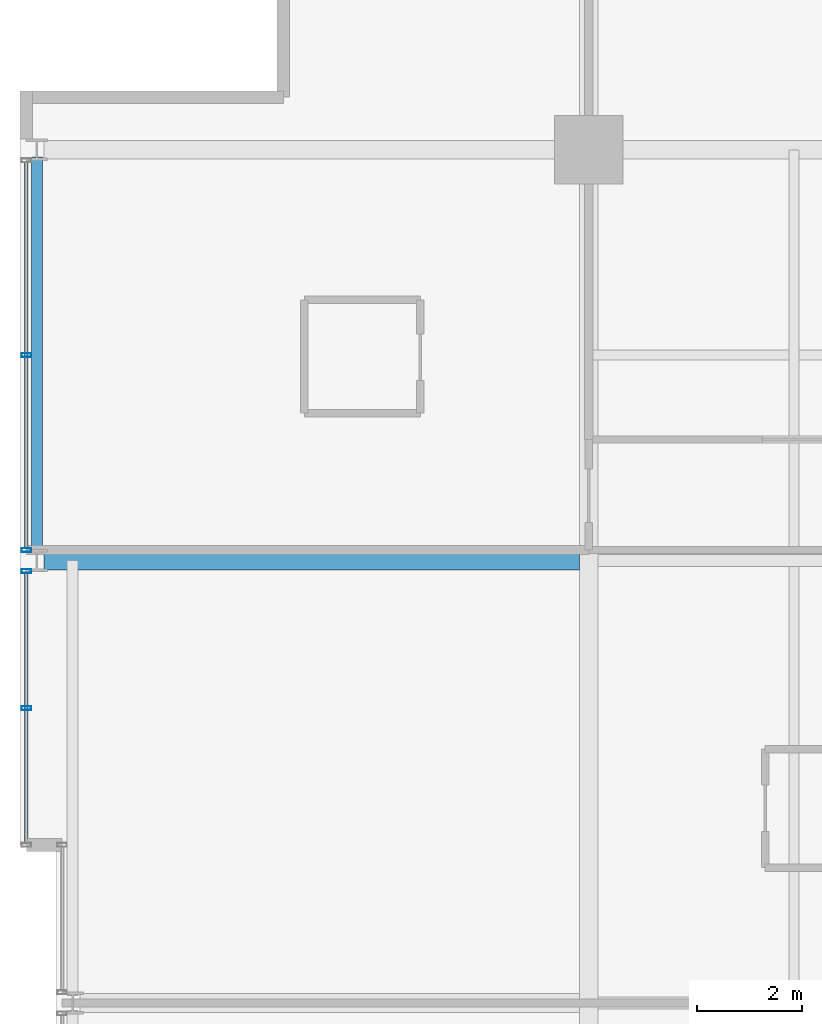
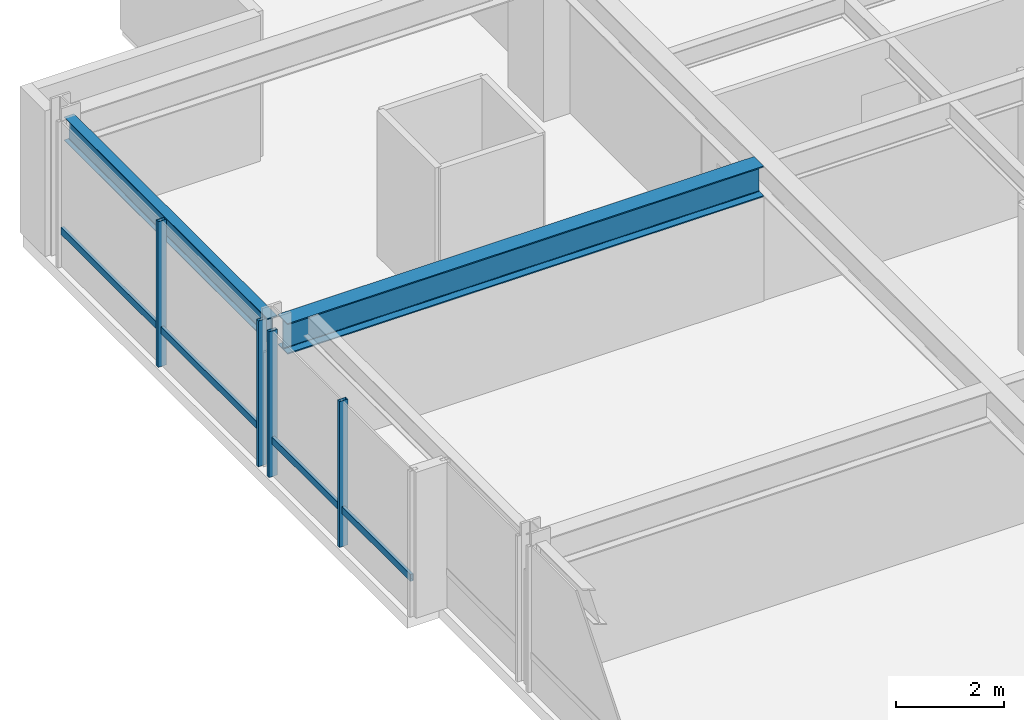
# One storey, part 17 of 33: 6 members, 2 beams, 2 elements without a shape of their own.
"""IFC4 building model written with IfcOpenShell, lengths in metres."""

from ifc_helpers import new_model, si_unit, direction, frame, origin, origin_2d, place, context, subcontext, project, spatial, hollow_rectangle, i_section, extrude, material, layer, layer_set, material_profile, profile_set, type_object, element, aggregate, save


model = new_model("IFC4")

# Units and contexts
model_context = context("Model", 3, precision=1e-05, world=origin(), true_north=direction((0.0, 1.0)))
body_context = subcontext(model_context, "Body", "Model", "MODEL_VIEW")
ifc_project = project(units=[si_unit("LENGTHUNIT", "METRE"), si_unit("AREAUNIT", "SQUARE_METRE"), si_unit("VOLUMEUNIT", "CUBIC_METRE"), si_unit("PLANEANGLEUNIT", "RADIAN"), si_unit("MASSUNIT", "GRAM", prefix="KILO")], contexts=[model_context])

# Site, building, storey
site_placement = place(None, origin())
site = spatial("IfcSite", under=ifc_project, at=site_placement, CompositionType="ELEMENT")
building_placement = place(site_placement, origin())
building = spatial("IfcBuilding", under=site, at=building_placement, Name="Drelvath Grand Hotel", CompositionType="ELEMENT")
storey_placement = place(building_placement, frame((0.0, 0.0, 171.699951171875)))
storey = spatial("IfcBuildingStorey", under=building, at=storey_placement, Name="L44", CompositionType="ELEMENT", Elevation=171.699951171875)

# Curtain wall, member
ifc_material_1 = material(Name="Brushed Pale-Silver Anodised Aluminium Frame", Category="aluminium")
ifc_layer = layer(ifc_material_1, 0.199951171875)
ifc_layer_set = layer_set([ifc_layer], Name="Brushed Pale-Silver Anodised Aluminium Frame")
curtain_wall_type = type_object("IfcCurtainWallType", Name="Stick Curtain Wall CW-04 Brushed Silver Upper-Mid", PredefinedType="NOTDEFINED", material=ifc_layer_set)
curtain_wall_1_placement = place(storey_placement, origin())
curtain_wall_1 = element("IfcCurtainWall", 1, at=curtain_wall_1_placement, inside=storey, type_object=curtain_wall_type, Name="L44 CW-04 Curtain Wall CW04-L44-WN1", PredefinedType="NOTDEFINED")
ifc_material_profile_1 = material_profile(ifc_material_1, hollow_rectangle(XDim=0.06494140625, YDim=0.159912109375, WallThickness=0.00390625, at=origin_2d()), Name="HSS160X65X4")
ifc_profile_set_1 = profile_set([ifc_material_profile_1], Name="Brushed Pale-Silver Anodised Aluminium Frame")
member_type_1 = type_object("IfcMemberType", Name="Curtain Wall Horizontal Transom CW-04 HSS160X65X4", PredefinedType="USERDEFINED", material=ifc_profile_set_1)
member_1_placement = place(storey_placement, frame((-26.8798828125, 30.0400390625, 0.822509765625), z_axis=(0.0, 1.0, 0.0), x_axis=(-1.0, 0.0, 0.0)))
member_1 = element("IfcMember", 2, at=member_1_placement, type_object=member_type_1, Name="CW04-L44-WN1 Sill Transom", ObjectType="TRANSOM", PredefinedType="USERDEFINED", context=body_context, shape_type="SweptSolid", body=[
    extrude(hollow_rectangle(XDim=0.06494140625, YDim=0.159912109375, WallThickness=0.00390625, at=origin_2d()), origin(), (0.0, 0.0, 1.0), 5.119873046875),
])

curtain_wall_2_placement = place(storey_placement, origin())
curtain_wall_2 = element("IfcCurtainWall", 3, at=curtain_wall_2_placement, inside=storey, type_object=curtain_wall_type, Name="L44 CW-04 Curtain Wall CW04-L44-WN2", PredefinedType="NOTDEFINED")
member_2_placement = place(storey_placement, frame((-26.8798828125, 35.639892578125, 0.822509765625), z_axis=(0.0, 1.0, 0.0), x_axis=(-1.0, 0.0, 0.0)))
member_2 = element("IfcMember", 4, at=member_2_placement, type_object=member_type_1, Name="CW04-L44-WN2 Sill Transom", ObjectType="TRANSOM", PredefinedType="USERDEFINED", context=body_context, shape_type="SweptSolid", body=[
    extrude(hollow_rectangle(XDim=0.06494140625, YDim=0.159912109375, WallThickness=0.00390625, at=origin_2d()), origin(), (0.0, 0.0, 1.0), 7.320068359375),
])

# Member
ifc_material_profile_2 = material_profile(ifc_material_1, hollow_rectangle(XDim=0.074951171875, YDim=0.179931640625, WallThickness=0.0048828125, at=origin_2d()), Name="HSS180X75X5")
ifc_profile_set_2 = profile_set([ifc_material_profile_2], Name="Brushed Pale-Silver Anodised Aluminium Frame")
member_type_2 = type_object("IfcMemberType", Name="Curtain Wall Vertical Mullion CW-04 HSS180X75X5", PredefinedType="MULLION", material=ifc_profile_set_2)
member_3_placement = place(storey_placement, frame((-26.8798828125, 32.60009765625, 0.0), z_axis=(0.0, 0.0, 1.0), x_axis=(0.0, 1.0, 0.0)))
member_3 = element("IfcMember", 5, at=member_3_placement, type_object=member_type_2, Name="CW04-L44-WN1 Mullion 2", PredefinedType="MULLION", context=body_context, shape_type="SweptSolid", body=[
    extrude(hollow_rectangle(XDim=0.074951171875, YDim=0.179931640625, WallThickness=0.0048828125, at=origin_2d()), origin(), (0.0, 0.0, 1.0), 3.2900390625),
])

member_4_placement = place(storey_placement, frame((-26.8798828125, 35.199951171875, 0.0), z_axis=(0.0, 0.0, 1.0), x_axis=(0.0, 1.0, 0.0)))
member_4 = element("IfcMember", 6, at=member_4_placement, type_object=member_type_2, Name="CW04-L44-WN1 Mullion 3", PredefinedType="MULLION", context=body_context, shape_type="SweptSolid", body=[
    extrude(hollow_rectangle(XDim=0.074951171875, YDim=0.179931640625, WallThickness=0.0048828125, at=origin_2d()), origin(), (0.0, 0.0, 1.0), 3.2900390625),
])

aggregate(curtain_wall_1, [member_3, member_4, member_1])

member_5_placement = place(storey_placement, frame((-26.8798828125, 35.60009765625, 0.0), z_axis=(0.0, 0.0, 1.0), x_axis=(0.0, 1.0, 0.0)))
member_5 = element("IfcMember", 7, at=member_5_placement, type_object=member_type_2, Name="CW04-L44-WN2 Mullion 1", PredefinedType="MULLION", context=body_context, shape_type="SweptSolid", body=[
    extrude(hollow_rectangle(XDim=0.074951171875, YDim=0.179931640625, WallThickness=0.0048828125, at=origin_2d()), origin(), (0.0, 0.0, 1.0), 3.2900390625),
])

member_6_placement = place(storey_placement, frame((-26.8798828125, 39.300048828125, 0.0), z_axis=(0.0, 0.0, 1.0), x_axis=(0.0, 1.0, 0.0)))
member_6 = element("IfcMember", 8, at=member_6_placement, type_object=member_type_2, Name="CW04-L44-WN2 Mullion 2", PredefinedType="MULLION", context=body_context, shape_type="SweptSolid", body=[
    extrude(hollow_rectangle(XDim=0.074951171875, YDim=0.179931640625, WallThickness=0.0048828125, at=origin_2d()), origin(), (0.0, 0.0, 1.0), 3.2900390625),
])

aggregate(curtain_wall_2, [member_5, member_6, member_2])

# Beams
ifc_material_2 = material(Name="Steel ASTM A992 Gr 50", Category="steel")
ifc_material_profile_3 = material_profile(ifc_material_2, i_section(OverallWidth=0.210205078125, OverallDepth=0.53662109375, WebThickness=0.010986328125, FlangeThickness=0.017333984375, FilletRadius=0.01806640625, at=origin_2d()), Name="W21X68")
ifc_profile_set_3 = profile_set([ifc_material_profile_3], Name="Steel ASTM A992 Gr 50")
beam_type_1 = type_object("IfcBeamType", Name="Perimeter Spandrel Beam W21X68", PredefinedType="SPANDREL", material=ifc_profile_set_3)
beam_1_placement = place(storey_placement, frame((-26.679931640625, 35.5400390625, 3.021728515625), z_axis=(0.0, 1.0, 0.0), x_axis=(-1.0, 0.0, 0.0)))
element("IfcBeam", 9, at=beam_1_placement, inside=storey, type_object=beam_type_1, Name="L44 Spandrel West N", PredefinedType="SPANDREL", context=body_context, shape_type="SweptSolid", body=[
    extrude(i_section(OverallWidth=0.210205078125, OverallDepth=0.53662109375, WebThickness=0.010986328125, FlangeThickness=0.017333984375, FilletRadius=0.01806640625, at=origin_2d()), origin(), (0.0, 0.0, 1.0), 7.52001953125),
])
ifc_material_profile_4 = material_profile(ifc_material_2, i_section(OverallWidth=0.354736328125, OverallDepth=0.695556640625, WebThickness=0.015380859375, FlangeThickness=0.025146484375, FilletRadius=0.02392578125, at=origin_2d()), Name="W27X146")
ifc_profile_set_4 = profile_set([ifc_material_profile_4], Name="Steel ASTM A992 Gr 50")
beam_type_2 = type_object("IfcBeamType", Name="Primary Floor Girder W27X146", PredefinedType="BEAM", material=ifc_profile_set_4)
beam_2_placement = place(storey_placement, frame((-26.5400390625, 35.39990234375, 2.9423828125), z_axis=(1.0, 0.0, 0.0), x_axis=(0.0, 1.0, 0.0)))
element("IfcBeam", 10, at=beam_2_placement, inside=storey, type_object=beam_type_2, Name="L44 West Wing Girder F", PredefinedType="BEAM", context=body_context, shape_type="SweptSolid", body=[
    extrude(i_section(OverallWidth=0.354736328125, OverallDepth=0.695556640625, WebThickness=0.015380859375, FlangeThickness=0.025146484375, FilletRadius=0.02392578125, at=origin_2d()), origin(), (0.0, 0.0, 1.0), 10.16259765625),
])

save(model, "model.ifc")
